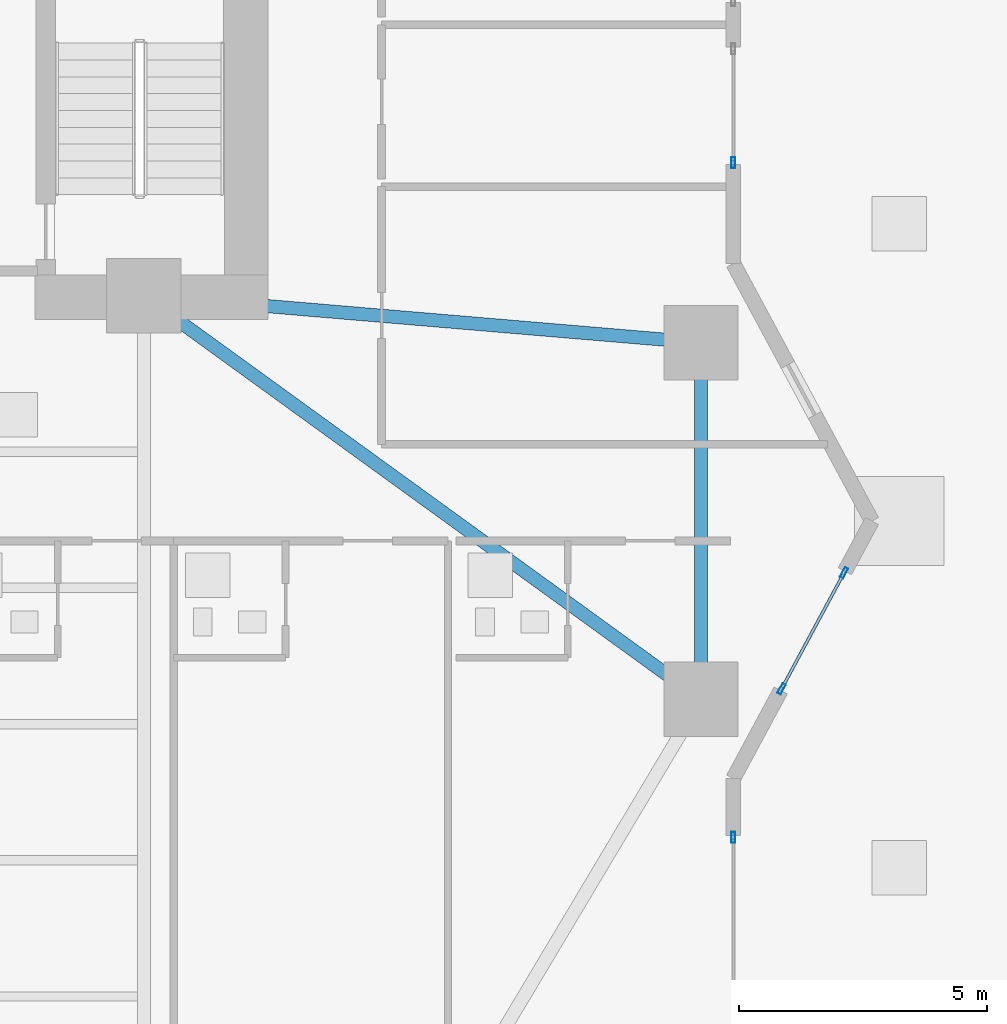
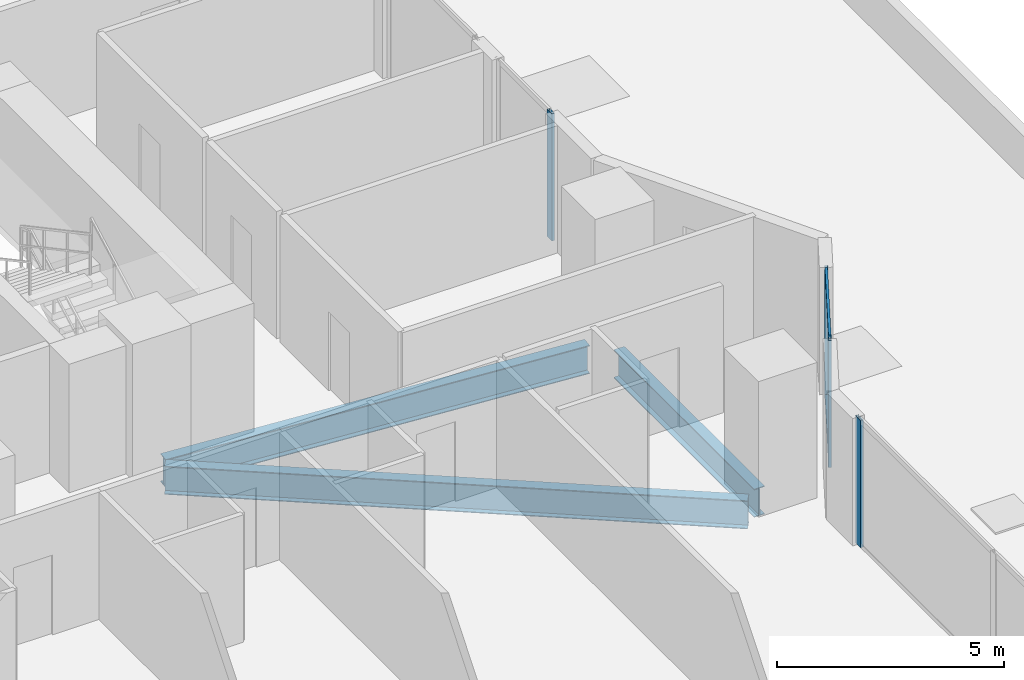
# One storey, part 12 of 30: 6 members, 3 beams, 3 elements without a shape of their own.
"""IFC4 building model written with IfcOpenShell, lengths in metres."""

from ifc_helpers import new_model, si_unit, direction, frame, origin, origin_2d, place, context, subcontext, project, spatial, hollow_rectangle, i_section, extrude, material, layer, layer_set, material_profile, profile_set, type_object, element, aggregate, save


model = new_model("IFC4")

# Units and contexts
model_context = context("Model", 3, precision=1e-05, world=origin(), true_north=direction((0.0, 1.0)))
body_context = subcontext(model_context, "Body", "Model", "MODEL_VIEW")
ifc_project = project(units=[si_unit("LENGTHUNIT", "METRE"), si_unit("AREAUNIT", "SQUARE_METRE"), si_unit("VOLUMEUNIT", "CUBIC_METRE"), si_unit("PLANEANGLEUNIT", "RADIAN"), si_unit("MASSUNIT", "GRAM", prefix="KILO")], contexts=[model_context])

# Site, building, storey
site_placement = place(None, origin())
site = spatial("IfcSite", under=ifc_project, at=site_placement, CompositionType="ELEMENT")
building_placement = place(site_placement, origin())
building = spatial("IfcBuilding", under=site, at=building_placement, Name="Zuhayl Quay Hotel", CompositionType="ELEMENT")
storey_placement = place(building_placement, frame((0.0, 0.0, 27.60009765625)))
storey = spatial("IfcBuildingStorey", under=building, at=storey_placement, Name="L05", CompositionType="ELEMENT", Elevation=27.60009765625)

# Beams
ifc_material_1 = material(Name="Steel ASTM A992 Grade 50", Category="steel")
ifc_material_profile_1 = material_profile(ifc_material_1, i_section(OverallWidth=0.26708984375, OverallDepth=0.761962890625, WebThickness=0.014404296875, FlangeThickness=0.021484375, at=origin_2d()), Name="W30X116")
ifc_profile_set_1 = profile_set([ifc_material_profile_1], Name="Steel ASTM A992 Grade 50")
beam_type = type_object("IfcBeamType", Name="BM_B1_W30X116", PredefinedType="BEAM", material=ifc_profile_set_1)
beam_1_placement = place(storey_placement, frame((25.050048828125, -3.10009765625, -0.60107421875), z_axis=(0.0, 1.0, 0.0), x_axis=(-1.0, 0.0, 0.0)))
element("IfcBeam", 1, at=beam_1_placement, inside=storey, type_object=beam_type, Name="L05 Floor Beam RG_L05_05", PredefinedType="BEAM", context=body_context, shape_type="SweptSolid", body=[
    extrude(i_section(OverallWidth=0.26708984375, OverallDepth=0.761962890625, WebThickness=0.014404296875, FlangeThickness=0.021484375, at=origin_2d()), origin(), (0.0, 0.0, 1.0), 6.2001953125),
])
beam_2_placement = place(storey_placement, frame((14.164306640625, 4.285888671875, -0.60107421875), z_axis=(0.809830244688, -0.586664277751, 0.0), x_axis=(0.586664277751, 0.809830244688, 0.0)))
element("IfcBeam", 2, at=beam_2_placement, inside=storey, type_object=beam_type, Name="L05 Floor Beam FG_E_L05_1", PredefinedType="BEAM", context=body_context, shape_type="SweptSolid", body=[
    extrude(i_section(OverallWidth=0.26708984375, OverallDepth=0.761962890625, WebThickness=0.014404296875, FlangeThickness=0.021484375, at=origin_2d()), origin(), (0.0, 0.0, 1.0), 12.94189453125),
])
beam_3_placement = place(storey_placement, frame((14.248291015625, 4.51220703125, -0.60107421875), z_axis=(0.996453145398, -0.084149444594, 0.0), x_axis=(0.084149444594, 0.996453145398, 0.0)))
element("IfcBeam", 3, at=beam_3_placement, inside=storey, type_object=beam_type, Name="L05 Floor Beam FG_E_L05_2", PredefinedType="BEAM", context=body_context, shape_type="SweptSolid", body=[
    extrude(i_section(OverallWidth=0.26708984375, OverallDepth=0.761962890625, WebThickness=0.014404296875, FlangeThickness=0.021484375, at=origin_2d()), origin(), (0.0, 0.0, 1.0), 10.340087890625),
])

# Curtain wall, member
ifc_material_2 = material(Name="Anodised Aluminium 6063-T6", Category="aluminium")
ifc_layer = layer(ifc_material_2, 0.18994140625, Name="Anodised Aluminium 6063-T6", Category="aluminium")
ifc_layer_set = layer_set([ifc_layer], Name="Anodised Aluminium 6063-T6")
curtain_wall_type = type_object("IfcCurtainWallType", Name="CW_SYS_Z1", PredefinedType="USERDEFINED", material=ifc_layer_set)
curtain_wall_1_placement = place(storey_placement, origin())
curtain_wall_1 = element("IfcCurtainWall", 4, at=curtain_wall_1_placement, inside=storey, type_object=curtain_wall_type, Name="L05 Curtain Wall ENV_L05_E11_CW2", ObjectType="UNITISED CURTAIN WALL", PredefinedType="USERDEFINED")
ifc_material_3 = material(Name="Black-anodised aluminium 6063-T6", Category="aluminium")
ifc_material_profile_2 = material_profile(ifc_material_3, hollow_rectangle(XDim=0.074951171875, YDim=0.219970703125, WallThickness=0.00390625, at=origin_2d()), Name="ALU220X75")
ifc_profile_set_2 = profile_set([ifc_material_profile_2], Name="Black-anodised aluminium 6063-T6")
member_type_1 = type_object("IfcMemberType", Name="MB_CW_MUL_220", PredefinedType="MULLION", material=ifc_profile_set_2)
member_1_placement = place(storey_placement, frame((25.699951171875, 7.237548828125, 0.0), z_axis=(0.0, 0.0, 1.0), x_axis=(1.0, 0.0, 0.0)))
member_1 = element("IfcMember", 5, at=member_1_placement, type_object=member_type_1, Name="CW-Z1 mullion 2", PredefinedType="MULLION", context=body_context, shape_type="SweptSolid", body=[
    extrude(hollow_rectangle(XDim=0.074951171875, YDim=0.219970703125, WallThickness=0.00390625, at=origin_2d()), origin(), (0.0, 0.0, 1.0), 3.429931640625),
])
aggregate(curtain_wall_1, [member_1])

# Curtain wall, members
curtain_wall_2_placement = place(storey_placement, origin())
curtain_wall_2 = element("IfcCurtainWall", 6, at=curtain_wall_2_placement, inside=storey, type_object=curtain_wall_type, Name="L05 Curtain Wall ENV_L05_E13_CW1", ObjectType="UNITISED CURTAIN WALL", PredefinedType="USERDEFINED")
member_2_placement = place(storey_placement, frame((27.93701171875, -1.04541015625, 0.0), z_axis=(0.0, 0.0, 1.0), x_axis=(0.880475795468, -0.474091102632, 0.0)))
member_2 = element("IfcMember", 7, at=member_2_placement, type_object=member_type_1, Name="CW-Z1 mullion 1", PredefinedType="MULLION", context=body_context, shape_type="SweptSolid", body=[
    extrude(hollow_rectangle(XDim=0.074951171875, YDim=0.219970703125, WallThickness=0.00390625, at=origin_2d()), origin(), (0.0, 0.0, 1.0), 3.429931640625),
])
member_3_placement = place(storey_placement, frame((26.67578125, -3.387939453125, 0.0), z_axis=(0.0, 0.0, 1.0), x_axis=(0.880475795468, -0.474091102632, 0.0)))
member_3 = element("IfcMember", 8, at=member_3_placement, type_object=member_type_1, Name="CW-Z1 mullion 2", PredefinedType="MULLION", context=body_context, shape_type="SweptSolid", body=[
    extrude(hollow_rectangle(XDim=0.074951171875, YDim=0.219970703125, WallThickness=0.00390625, at=origin_2d()), origin(), (0.0, 0.0, 1.0), 3.429931640625),
])

# Curtain wall, member
curtain_wall_3_placement = place(storey_placement, origin())
curtain_wall_3 = element("IfcCurtainWall", 9, at=curtain_wall_3_placement, inside=storey, type_object=curtain_wall_type, Name="L05 Curtain Wall ENV_L05_E14_CW1", ObjectType="UNITISED CURTAIN WALL", PredefinedType="USERDEFINED")
member_4_placement = place(storey_placement, frame((25.699951171875, -6.387451171875, 0.0), z_axis=(0.0, 0.0, 1.0), x_axis=(1.0, 0.0, 0.0)))
member_4 = element("IfcMember", 10, at=member_4_placement, type_object=member_type_1, Name="CW-Z1 mullion 1", PredefinedType="MULLION", context=body_context, shape_type="SweptSolid", body=[
    extrude(hollow_rectangle(XDim=0.074951171875, YDim=0.219970703125, WallThickness=0.00390625, at=origin_2d()), origin(), (0.0, 0.0, 1.0), 3.429931640625),
])
aggregate(curtain_wall_3, [member_4])

# Member
ifc_material_profile_3 = material_profile(ifc_material_3, hollow_rectangle(XDim=0.06005859375, YDim=0.14990234375, WallThickness=0.00341796875, at=origin_2d()), Name="ALU150X60")
ifc_profile_set_3 = profile_set([ifc_material_profile_3], Name="Black-anodised aluminium 6063-T6")
member_type_2 = type_object("IfcMemberType", Name="MB_CW_TRN_150", PredefinedType="USERDEFINED", material=ifc_profile_set_3)
member_5_placement = place(storey_placement, frame((27.919189453125, -1.07861328125, 0.02978515625), z_axis=(-0.474054771703, -0.880495356845, 0.0), x_axis=(0.880495356845, -0.474054771703, 0.0)))
member_5 = element("IfcMember", 11, at=member_5_placement, type_object=member_type_2, Name="CW-Z1 transom 1.1", ObjectType="TRANSOM", PredefinedType="USERDEFINED", context=body_context, shape_type="SweptSolid", body=[
    extrude(hollow_rectangle(XDim=0.06005859375, YDim=0.14990234375, WallThickness=0.00341796875, at=origin_2d()), origin(), (0.0, 0.0, 1.0), 2.585205078125),
])

member_6_placement = place(storey_placement, frame((27.919189453125, -1.07861328125, 3.39990234375), z_axis=(-0.474054771703, -0.880495356845, 0.0), x_axis=(0.880495356845, -0.474054771703, 0.0)))
member_6 = element("IfcMember", 12, at=member_6_placement, type_object=member_type_2, Name="CW-Z1 transom 1.2", ObjectType="TRANSOM", PredefinedType="USERDEFINED", context=body_context, shape_type="SweptSolid", body=[
    extrude(hollow_rectangle(XDim=0.06005859375, YDim=0.14990234375, WallThickness=0.00341796875, at=origin_2d()), origin(), (0.0, 0.0, 1.0), 2.585205078125),
])

aggregate(curtain_wall_2, [member_2, member_3, member_5, member_6])

save(model, "model.ifc")
